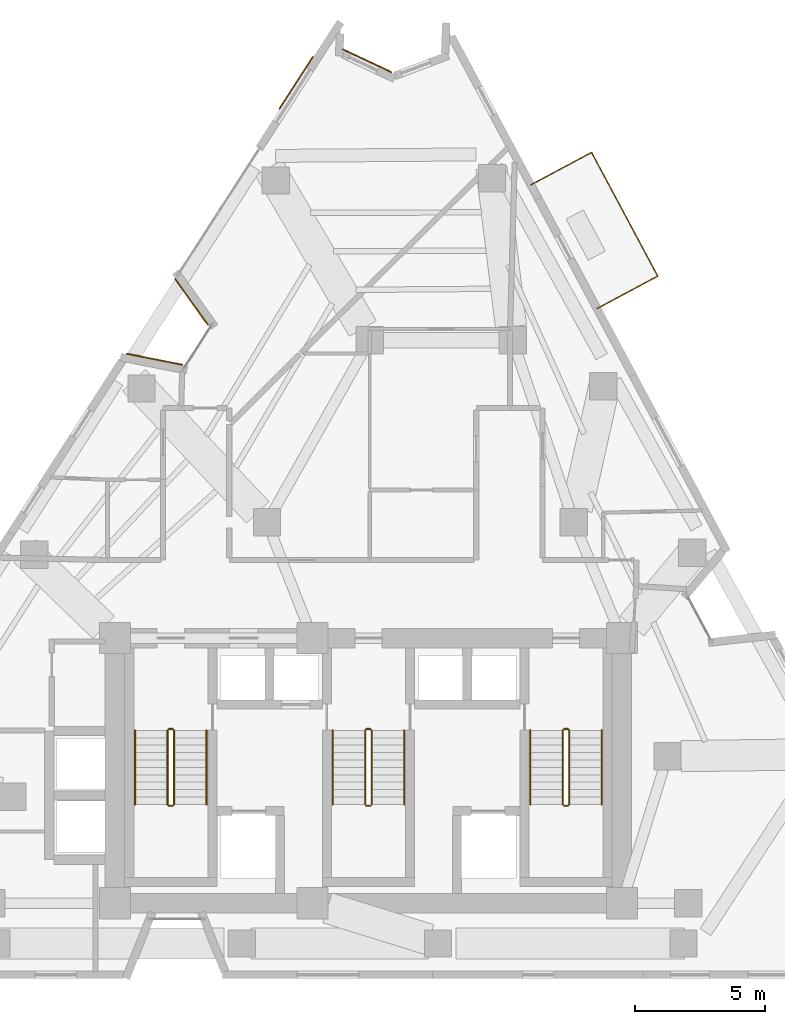
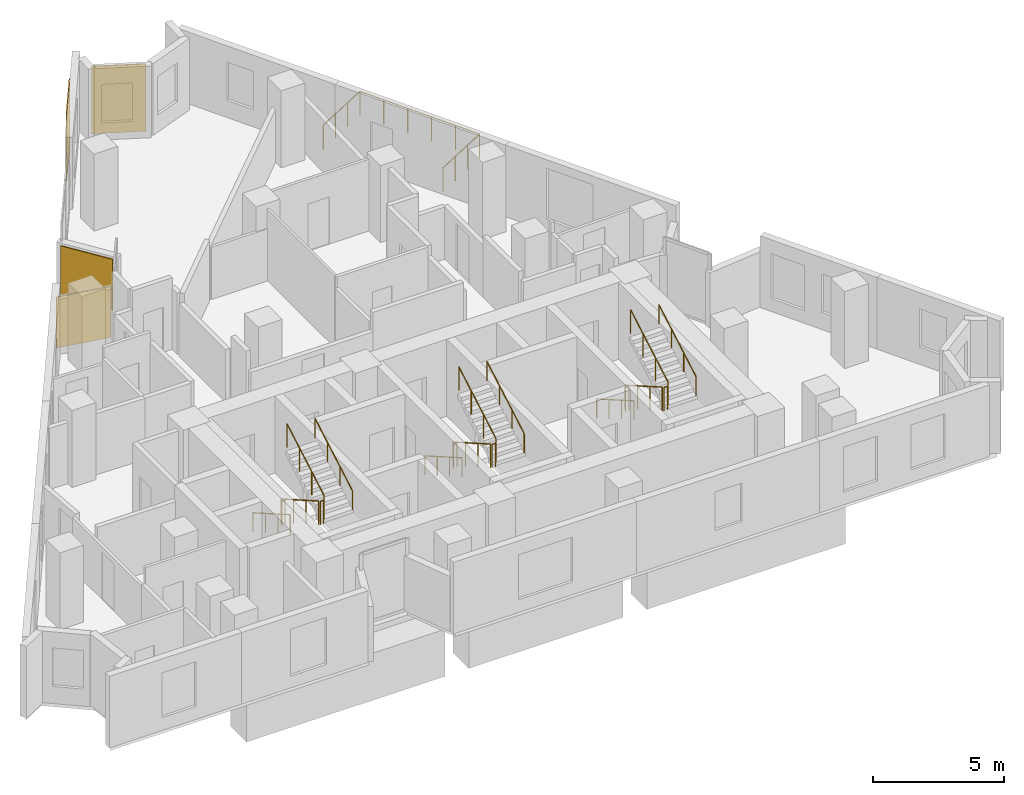
# One storey, part 11 of 11: 19 railings, 4 coverings.
"""IFC4 building model written with IfcOpenShell, lengths in metres."""

from ifc_helpers import new_model, si_unit, direction, frame, origin, origin_2d, place, context, subcontext, project, spatial, rectangle, circle, extrude, material, layer, layer_set, type_object, element, save


model = new_model("IFC4")

# Units and contexts
model_context = context("Model", 3, precision=1e-05, world=origin(), true_north=direction((0.0, 1.0)))
body_context = subcontext(model_context, "Body", "Model", "MODEL_VIEW")
ifc_project = project(units=[si_unit("LENGTHUNIT", "METRE"), si_unit("AREAUNIT", "SQUARE_METRE"), si_unit("VOLUMEUNIT", "CUBIC_METRE"), si_unit("PLANEANGLEUNIT", "RADIAN"), si_unit("MASSUNIT", "GRAM", prefix="KILO")], contexts=[model_context])

# Site, building, storey
site_placement = place(None, origin())
site = spatial("IfcSite", under=ifc_project, at=site_placement, CompositionType="ELEMENT")
building_placement = place(site_placement, origin())
building = spatial("IfcBuilding", under=site, at=building_placement, Name="Almagre Mirador Tower", CompositionType="ELEMENT")
storey_placement = place(building_placement, frame((0.0, 0.0, 175.199951171875)))
storey = spatial("IfcBuildingStorey", under=building, at=storey_placement, Name="L45", CompositionType="ELEMENT", Elevation=175.199951171875)

# Coverings
ifc_material_1 = material(Name="Almagre terracotta architectural cladding", Category="masonry")
ifc_layer = layer(ifc_material_1, 0.044921875)
ifc_layer_set = layer_set([ifc_layer], Name="Almagre terracotta architectural cladding")
covering_type = type_object("IfcCoveringType", Name="COV-CLAD-ALMAGRE", PredefinedType="CLADDING", material=ifc_layer_set)
covering_1_placement = place(storey_placement, frame((29.07275390625, 25.473876953125, 0.10009765625), z_axis=(0.0, 0.0, 1.0), x_axis=(0.981181616545, -0.193087118563, 0.0)))
element("IfcCovering", 1, at=covering_1_placement, inside=storey, type_object=covering_type, Name="L45 almagre terracotta pier cladding", PredefinedType="CLADDING", context=body_context, shape_type="SweptSolid", body=[
    extrude(rectangle(XDim=2.195068359375, YDim=0.044921875, at=origin_2d()), origin(), (0.0, 0.0, 1.0), 2.375),
])
covering_2_placement = place(storey_placement, frame((30.4951171875, 27.678955078125, 0.10009765625), z_axis=(0.0, 0.0, 1.0), x_axis=(-0.580475589131, 0.814277649468, 0.0)))
element("IfcCovering", 2, at=covering_2_placement, inside=storey, type_object=covering_type, Name="L45 almagre terracotta pier cladding", PredefinedType="CLADDING", context=body_context, shape_type="SweptSolid", body=[
    extrude(rectangle(XDim=2.194091796875, YDim=0.044921875, at=origin_2d()), origin(), (0.0, 0.0, 1.0), 2.375),
])
covering_3_placement = place(storey_placement, frame((34.52001953125, 36.10302734375, 0.10009765625), z_axis=(0.0, 0.0, 1.0), x_axis=(0.542030924747, 0.840358540516, 0.0)))
element("IfcCovering", 3, at=covering_3_placement, inside=storey, type_object=covering_type, Name="L45 almagre terracotta pier cladding", PredefinedType="CLADDING", context=body_context, shape_type="SweptSolid", body=[
    extrude(rectangle(XDim=2.39990234375, YDim=0.044921875, at=origin_2d()), origin(), (0.0, 0.0, 1.0), 3.14990234375),
])
covering_4_placement = place(storey_placement, frame((37.25390625, 36.953369140625, 0.10009765625), z_axis=(0.0, 0.0, 1.0), x_axis=(0.903492445122, -0.428604014922, 0.0)))
element("IfcCovering", 4, at=covering_4_placement, inside=storey, type_object=covering_type, Name="L45 almagre terracotta pier cladding", PredefinedType="CLADDING", context=body_context, shape_type="SweptSolid", body=[
    extrude(rectangle(XDim=2.0849609375, YDim=0.044921875, at=origin_2d()), origin(), (0.0, 0.0, 1.0), 3.14990234375),
])

# Railings
ifc_material_2 = material(Name="Black anodized aluminium", Category="aluminium")
railing_type_1 = type_object("IfcRailingType", Name="RLG-BAL-1150", PredefinedType="BALUSTRADE", material=ifc_material_2)
railing_1_placement = place(storey_placement, frame((46.093994140625, 27.4189453125, 0.0)))
element("IfcRailing", 5, at=railing_1_placement, inside=storey, type_object=railing_type_1, Name="L45 east balcony balustrade 1", PredefinedType="BALUSTRADE", context=body_context, shape_type="SweptSolid", body=[
    extrude(circle(Radius=0.02392578125, at=origin_2d()), frame((0.0, 0.0, 1.1259765625), z_axis=(0.88169906434, 0.471812208343, 0.0), x_axis=(-0.471812208343, 0.88169906434, 0.0)), (0.0, 0.0, 1.0), 2.6494140625),
    extrude(circle(Radius=0.02392578125, at=origin_2d()), frame((2.3359375, 1.25, 1.1259765625), z_axis=(-0.471620367983, 0.881801694546, 0.0), x_axis=(-0.881801694546, -0.471620367983, 0.0)), (0.0, 0.0, 1.0), 5.400146484375),
    extrude(circle(Radius=0.02392578125, at=origin_2d()), frame((-0.2109375, 6.011962890625, 1.1259765625), z_axis=(-0.88180156885, -0.471620602999, 0.0), x_axis=(0.471620602999, -0.88180156885, 0.0)), (0.0, 0.0, 1.0), 2.650390625),
    extrude(circle(Radius=0.02099609375, at=origin_2d()), origin(), (0.0, 0.0, 1.0), 1.101806640625),
    extrude(circle(Radius=0.02099609375, at=origin_2d()), frame((0.778564453125, 0.416748046875, 0.0)), (0.0, 0.0, 1.0), 1.101806640625),
    extrude(circle(Radius=0.02099609375, at=origin_2d()), frame((1.557373046875, 0.833251953125, 0.0)), (0.0, 0.0, 1.0), 1.101806640625),
    extrude(circle(Radius=0.02099609375, at=origin_2d()), frame((2.3359375, 1.25, 0.0)), (0.0, 0.0, 1.0), 1.101806640625),
    extrude(circle(Radius=0.02099609375, at=origin_2d()), frame((1.82666015625, 2.202392578125, 0.0)), (0.0, 0.0, 1.0), 1.101806640625),
    extrude(circle(Radius=0.02099609375, at=origin_2d()), frame((1.317138671875, 3.15478515625, 0.0)), (0.0, 0.0, 1.0), 1.101806640625),
    extrude(circle(Radius=0.02099609375, at=origin_2d()), frame((0.807861328125, 4.107177734375, 0.0)), (0.0, 0.0, 1.0), 1.101806640625),
    extrude(circle(Radius=0.02099609375, at=origin_2d()), frame((0.29833984375, 5.0595703125, 0.0)), (0.0, 0.0, 1.0), 1.101806640625),
    extrude(circle(Radius=0.02099609375, at=origin_2d()), frame((-0.2109375, 6.011962890625, 0.0)), (0.0, 0.0, 1.0), 1.101806640625),
    extrude(circle(Radius=0.02099609375, at=origin_2d()), frame((-0.989990234375, 5.59521484375, 0.0)), (0.0, 0.0, 1.0), 1.101806640625),
    extrude(circle(Radius=0.02099609375, at=origin_2d()), frame((-1.76904296875, 5.1787109375, 0.0)), (0.0, 0.0, 1.0), 1.101806640625),
    extrude(circle(Radius=0.02099609375, at=origin_2d()), frame((-2.548095703125, 4.761962890625, 0.0)), (0.0, 0.0, 1.0), 1.101806640625),
])
ifc_material_3 = material(Name="Painted galvanized steel", Category="steel")
railing_type_2 = type_object("IfcRailingType", Name="RLG-GRD-1100", PredefinedType="GUARDRAIL", material=ifc_material_3)
railing_2_placement = place(storey_placement, frame((29.574951171875, 11.199951171875, 0.16357421875)))
element("IfcRailing", 6, at=railing_2_placement, inside=storey, type_object=railing_type_2, Name="L45 ST-1 stair guard 1", PredefinedType="GUARDRAIL", context=body_context, shape_type="SweptSolid", body=[
    extrude(circle(Radius=0.02392578125, at=origin_2d()), frame((0.0, 0.0, 1.09619140625), z_axis=(0.0, -0.867194282975, 0.497969954491), x_axis=(1.0, 0.0, 0.0)), (0.0, 0.0, 1.0), 3.286376953125),
    extrude(circle(Radius=0.02099609375, at=origin_2d()), origin(), (0.0, 0.0, 1.0), 1.072021484375),
    extrude(circle(Radius=0.02099609375, at=origin_2d()), frame((0.0, -0.949951171875, 0.54541015625)), (0.0, 0.0, 1.0), 1.072021484375),
    extrude(circle(Radius=0.02099609375, at=origin_2d()), frame((0.0, -1.89990234375, 1.091064453125)), (0.0, 0.0, 1.0), 1.072021484375),
    extrude(circle(Radius=0.02099609375, at=origin_2d()), frame((0.0, -2.849853515625, 1.636474609375)), (0.0, 0.0, 1.0), 1.072021484375),
])
railing_3_placement = place(storey_placement, frame((29.625, 8.300048828125, 1.800048828125)))
element("IfcRailing", 7, at=railing_3_placement, inside=storey, type_object=railing_type_2, Name="L45 ST-1 stair guard 2", PredefinedType="GUARDRAIL", context=body_context, shape_type="SweptSolid", body=[
    extrude(circle(Radius=0.02392578125, at=origin_2d()), frame((0.0, 0.0, 1.09619140625), z_axis=(1.0, 0.0, 0.0), x_axis=(0.0, 1.0, 0.0)), (0.0, 0.0, 1.0), 0.14990234375),
    extrude(circle(Radius=0.02099609375, at=origin_2d()), origin(), (0.0, 0.0, 1.0), 1.072021484375),
    extrude(circle(Radius=0.02099609375, at=origin_2d()), frame((0.14990234375, 0.0, 0.0)), (0.0, 0.0, 1.0), 1.072021484375),
])
railing_4_placement = place(storey_placement, frame((29.824951171875, 8.35009765625, 1.963623046875)))
element("IfcRailing", 8, at=railing_4_placement, inside=storey, type_object=railing_type_2, Name="L45 ST-1 stair guard 3", PredefinedType="GUARDRAIL", context=body_context, shape_type="SweptSolid", body=[
    extrude(circle(Radius=0.02392578125, at=origin_2d()), frame((0.0, 0.0, 1.09619140625), z_axis=(0.0, 0.867194282975, 0.497969954491), x_axis=(-1.0, 0.0, 0.0)), (0.0, 0.0, 1.0), 3.286376953125),
    extrude(circle(Radius=0.02099609375, at=origin_2d()), origin(), (0.0, 0.0, 1.0), 1.072021484375),
    extrude(circle(Radius=0.02099609375, at=origin_2d()), frame((0.0, 0.949951171875, 0.54541015625)), (0.0, 0.0, 1.0), 1.072021484375),
    extrude(circle(Radius=0.02099609375, at=origin_2d()), frame((0.0, 1.89990234375, 1.091064453125)), (0.0, 0.0, 1.0), 1.072021484375),
    extrude(circle(Radius=0.02099609375, at=origin_2d()), frame((0.0, 2.849853515625, 1.636474609375)), (0.0, 0.0, 1.0), 1.072021484375),
])
railing_5_placement = place(storey_placement, frame((29.625, 11.25, 0.0)))
element("IfcRailing", 9, at=railing_5_placement, inside=storey, type_object=railing_type_2, Name="L45 ST-1 stair guard 4", PredefinedType="GUARDRAIL", context=body_context, shape_type="SweptSolid", body=[
    extrude(circle(Radius=0.02392578125, at=origin_2d()), frame((0.0, 0.0, 1.09619140625), z_axis=(1.0, 0.0, 0.0), x_axis=(0.0, 1.0, 0.0)), (0.0, 0.0, 1.0), 0.14990234375),
    extrude(circle(Radius=0.02099609375, at=origin_2d()), origin(), (0.0, 0.0, 1.0), 1.072021484375),
    extrude(circle(Radius=0.02099609375, at=origin_2d()), frame((0.14990234375, 0.0, 0.0)), (0.0, 0.0, 1.0), 1.072021484375),
])
railing_6_placement = place(storey_placement, frame((37.175048828125, 11.199951171875, 0.16357421875)))
element("IfcRailing", 10, at=railing_6_placement, inside=storey, type_object=railing_type_2, Name="L45 ST-2 stair guard 1", PredefinedType="GUARDRAIL", context=body_context, shape_type="SweptSolid", body=[
    extrude(circle(Radius=0.02392578125, at=origin_2d()), frame((0.0, 0.0, 1.09619140625), z_axis=(0.0, -0.867194282975, 0.497969954491), x_axis=(1.0, 0.0, 0.0)), (0.0, 0.0, 1.0), 3.286376953125),
    extrude(circle(Radius=0.02099609375, at=origin_2d()), origin(), (0.0, 0.0, 1.0), 1.072021484375),
    extrude(circle(Radius=0.02099609375, at=origin_2d()), frame((0.0, -0.949951171875, 0.54541015625)), (0.0, 0.0, 1.0), 1.072021484375),
    extrude(circle(Radius=0.02099609375, at=origin_2d()), frame((0.0, -1.89990234375, 1.091064453125)), (0.0, 0.0, 1.0), 1.072021484375),
    extrude(circle(Radius=0.02099609375, at=origin_2d()), frame((0.0, -2.849853515625, 1.636474609375)), (0.0, 0.0, 1.0), 1.072021484375),
])
railing_7_placement = place(storey_placement, frame((37.22509765625, 8.300048828125, 1.800048828125)))
element("IfcRailing", 11, at=railing_7_placement, inside=storey, type_object=railing_type_2, Name="L45 ST-2 stair guard 2", PredefinedType="GUARDRAIL", context=body_context, shape_type="SweptSolid", body=[
    extrude(circle(Radius=0.02392578125, at=origin_2d()), frame((0.0, 0.0, 1.09619140625), z_axis=(1.0, 0.0, 0.0), x_axis=(0.0, 1.0, 0.0)), (0.0, 0.0, 1.0), 0.14990234375),
    extrude(circle(Radius=0.02099609375, at=origin_2d()), origin(), (0.0, 0.0, 1.0), 1.072021484375),
    extrude(circle(Radius=0.02099609375, at=origin_2d()), frame((0.14990234375, 0.0, 0.0)), (0.0, 0.0, 1.0), 1.072021484375),
])
railing_8_placement = place(storey_placement, frame((37.425048828125, 8.35009765625, 1.963623046875)))
element("IfcRailing", 12, at=railing_8_placement, inside=storey, type_object=railing_type_2, Name="L45 ST-2 stair guard 3", PredefinedType="GUARDRAIL", context=body_context, shape_type="SweptSolid", body=[
    extrude(circle(Radius=0.02392578125, at=origin_2d()), frame((0.0, 0.0, 1.09619140625), z_axis=(0.0, 0.867194282975, 0.497969954491), x_axis=(-1.0, 0.0, 0.0)), (0.0, 0.0, 1.0), 3.286376953125),
    extrude(circle(Radius=0.02099609375, at=origin_2d()), origin(), (0.0, 0.0, 1.0), 1.072021484375),
    extrude(circle(Radius=0.02099609375, at=origin_2d()), frame((0.0, 0.949951171875, 0.54541015625)), (0.0, 0.0, 1.0), 1.072021484375),
    extrude(circle(Radius=0.02099609375, at=origin_2d()), frame((0.0, 1.89990234375, 1.091064453125)), (0.0, 0.0, 1.0), 1.072021484375),
    extrude(circle(Radius=0.02099609375, at=origin_2d()), frame((0.0, 2.849853515625, 1.636474609375)), (0.0, 0.0, 1.0), 1.072021484375),
])
railing_9_placement = place(storey_placement, frame((37.22509765625, 11.25, 0.0)))
element("IfcRailing", 13, at=railing_9_placement, inside=storey, type_object=railing_type_2, Name="L45 ST-2 stair guard 4", PredefinedType="GUARDRAIL", context=body_context, shape_type="SweptSolid", body=[
    extrude(circle(Radius=0.02392578125, at=origin_2d()), frame((0.0, 0.0, 1.09619140625), z_axis=(1.0, 0.0, 0.0), x_axis=(0.0, 1.0, 0.0)), (0.0, 0.0, 1.0), 0.14990234375),
    extrude(circle(Radius=0.02099609375, at=origin_2d()), origin(), (0.0, 0.0, 1.0), 1.072021484375),
    extrude(circle(Radius=0.02099609375, at=origin_2d()), frame((0.14990234375, 0.0, 0.0)), (0.0, 0.0, 1.0), 1.072021484375),
])
railing_10_placement = place(storey_placement, frame((44.77490234375, 11.199951171875, 0.16357421875)))
element("IfcRailing", 14, at=railing_10_placement, inside=storey, type_object=railing_type_2, Name="L45 ST-3 stair guard 1", PredefinedType="GUARDRAIL", context=body_context, shape_type="SweptSolid", body=[
    extrude(circle(Radius=0.02392578125, at=origin_2d()), frame((0.0, 0.0, 1.09619140625), z_axis=(0.0, -0.867194282975, 0.497969954491), x_axis=(1.0, 0.0, 0.0)), (0.0, 0.0, 1.0), 3.286376953125),
    extrude(circle(Radius=0.02099609375, at=origin_2d()), origin(), (0.0, 0.0, 1.0), 1.072021484375),
    extrude(circle(Radius=0.02099609375, at=origin_2d()), frame((0.0, -0.949951171875, 0.54541015625)), (0.0, 0.0, 1.0), 1.072021484375),
    extrude(circle(Radius=0.02099609375, at=origin_2d()), frame((0.0, -1.89990234375, 1.091064453125)), (0.0, 0.0, 1.0), 1.072021484375),
    extrude(circle(Radius=0.02099609375, at=origin_2d()), frame((0.0, -2.849853515625, 1.636474609375)), (0.0, 0.0, 1.0), 1.072021484375),
])
railing_11_placement = place(storey_placement, frame((44.824951171875, 8.300048828125, 1.800048828125)))
element("IfcRailing", 15, at=railing_11_placement, inside=storey, type_object=railing_type_2, Name="L45 ST-3 stair guard 2", PredefinedType="GUARDRAIL", context=body_context, shape_type="SweptSolid", body=[
    extrude(circle(Radius=0.02392578125, at=origin_2d()), frame((0.0, 0.0, 1.09619140625), z_axis=(1.0, 0.0, 0.0), x_axis=(0.0, 1.0, 0.0)), (0.0, 0.0, 1.0), 0.150146484375),
    extrude(circle(Radius=0.02099609375, at=origin_2d()), origin(), (0.0, 0.0, 1.0), 1.072021484375),
    extrude(circle(Radius=0.02099609375, at=origin_2d()), frame((0.150146484375, 0.0, 0.0)), (0.0, 0.0, 1.0), 1.072021484375),
])
railing_12_placement = place(storey_placement, frame((45.02490234375, 8.35009765625, 1.963623046875)))
element("IfcRailing", 16, at=railing_12_placement, inside=storey, type_object=railing_type_2, Name="L45 ST-3 stair guard 3", PredefinedType="GUARDRAIL", context=body_context, shape_type="SweptSolid", body=[
    extrude(circle(Radius=0.02392578125, at=origin_2d()), frame((0.0, 0.0, 1.09619140625), z_axis=(0.0, 0.867194282975, 0.497969954491), x_axis=(-1.0, 0.0, 0.0)), (0.0, 0.0, 1.0), 3.286376953125),
    extrude(circle(Radius=0.02099609375, at=origin_2d()), origin(), (0.0, 0.0, 1.0), 1.072021484375),
    extrude(circle(Radius=0.02099609375, at=origin_2d()), frame((0.0, 0.949951171875, 0.54541015625)), (0.0, 0.0, 1.0), 1.072021484375),
    extrude(circle(Radius=0.02099609375, at=origin_2d()), frame((0.0, 1.89990234375, 1.091064453125)), (0.0, 0.0, 1.0), 1.072021484375),
    extrude(circle(Radius=0.02099609375, at=origin_2d()), frame((0.0, 2.849853515625, 1.636474609375)), (0.0, 0.0, 1.0), 1.072021484375),
])
railing_13_placement = place(storey_placement, frame((44.824951171875, 11.25, 0.0)))
element("IfcRailing", 17, at=railing_13_placement, inside=storey, type_object=railing_type_2, Name="L45 ST-3 stair guard 4", PredefinedType="GUARDRAIL", context=body_context, shape_type="SweptSolid", body=[
    extrude(circle(Radius=0.02392578125, at=origin_2d()), frame((0.0, 0.0, 1.09619140625), z_axis=(1.0, 0.0, 0.0), x_axis=(0.0, 1.0, 0.0)), (0.0, 0.0, 1.0), 0.150146484375),
    extrude(circle(Radius=0.02099609375, at=origin_2d()), origin(), (0.0, 0.0, 1.0), 1.072021484375),
    extrude(circle(Radius=0.02099609375, at=origin_2d()), frame((0.150146484375, 0.0, 0.0)), (0.0, 0.0, 1.0), 1.072021484375),
])
ifc_material_4 = material(Name="Brushed stainless steel", Category="steel")
railing_type_3 = type_object("IfcRailingType", Name="RLG-HND-915", PredefinedType="HANDRAIL", material=ifc_material_4)
railing_14_placement = place(storey_placement, frame((28.324951171875, 11.199951171875, 0.16357421875)))
element("IfcRailing", 18, at=railing_14_placement, inside=storey, type_object=railing_type_3, Name="L45 ST-1 stair handrail 1", PredefinedType="HANDRAIL", context=body_context, shape_type="SweptSolid", body=[
    extrude(circle(Radius=0.02392578125, at=origin_2d()), frame((0.0, 0.0, 0.89111328125), z_axis=(0.0, -0.867194282975, 0.497969954491), x_axis=(1.0, 0.0, 0.0)), (0.0, 0.0, 1.0), 3.286376953125),
    extrude(circle(Radius=0.02099609375, at=origin_2d()), origin(), (0.0, 0.0, 1.0), 0.866943359375),
    extrude(circle(Radius=0.02099609375, at=origin_2d()), frame((0.0, -0.949951171875, 0.54541015625)), (0.0, 0.0, 1.0), 0.866943359375),
    extrude(circle(Radius=0.02099609375, at=origin_2d()), frame((0.0, -1.89990234375, 1.091064453125)), (0.0, 0.0, 1.0), 0.866943359375),
    extrude(circle(Radius=0.02099609375, at=origin_2d()), frame((0.0, -2.849853515625, 1.636474609375)), (0.0, 0.0, 1.0), 0.866943359375),
])
railing_15_placement = place(storey_placement, frame((31.074951171875, 8.35009765625, 1.963623046875)))
element("IfcRailing", 19, at=railing_15_placement, inside=storey, type_object=railing_type_3, Name="L45 ST-1 stair handrail 2", PredefinedType="HANDRAIL", context=body_context, shape_type="SweptSolid", body=[
    extrude(circle(Radius=0.02392578125, at=origin_2d()), frame((0.0, 0.0, 0.89111328125), z_axis=(0.0, 0.867194282975, 0.497969954491), x_axis=(-1.0, 0.0, 0.0)), (0.0, 0.0, 1.0), 3.286376953125),
    extrude(circle(Radius=0.02099609375, at=origin_2d()), origin(), (0.0, 0.0, 1.0), 0.866943359375),
    extrude(circle(Radius=0.02099609375, at=origin_2d()), frame((0.0, 0.949951171875, 0.54541015625)), (0.0, 0.0, 1.0), 0.866943359375),
    extrude(circle(Radius=0.02099609375, at=origin_2d()), frame((0.0, 1.89990234375, 1.091064453125)), (0.0, 0.0, 1.0), 0.866943359375),
    extrude(circle(Radius=0.02099609375, at=origin_2d()), frame((0.0, 2.849853515625, 1.636474609375)), (0.0, 0.0, 1.0), 0.866943359375),
])
railing_16_placement = place(storey_placement, frame((35.925048828125, 11.199951171875, 0.16357421875)))
element("IfcRailing", 20, at=railing_16_placement, inside=storey, type_object=railing_type_3, Name="L45 ST-2 stair handrail 1", PredefinedType="HANDRAIL", context=body_context, shape_type="SweptSolid", body=[
    extrude(circle(Radius=0.02392578125, at=origin_2d()), frame((0.0, 0.0, 0.89111328125), z_axis=(0.0, -0.867194282975, 0.497969954491), x_axis=(1.0, 0.0, 0.0)), (0.0, 0.0, 1.0), 3.286376953125),
    extrude(circle(Radius=0.02099609375, at=origin_2d()), origin(), (0.0, 0.0, 1.0), 0.866943359375),
    extrude(circle(Radius=0.02099609375, at=origin_2d()), frame((0.0, -0.949951171875, 0.54541015625)), (0.0, 0.0, 1.0), 0.866943359375),
    extrude(circle(Radius=0.02099609375, at=origin_2d()), frame((0.0, -1.89990234375, 1.091064453125)), (0.0, 0.0, 1.0), 0.866943359375),
    extrude(circle(Radius=0.02099609375, at=origin_2d()), frame((0.0, -2.849853515625, 1.636474609375)), (0.0, 0.0, 1.0), 0.866943359375),
])
railing_17_placement = place(storey_placement, frame((38.675048828125, 8.35009765625, 1.963623046875)))
element("IfcRailing", 21, at=railing_17_placement, inside=storey, type_object=railing_type_3, Name="L45 ST-2 stair handrail 2", PredefinedType="HANDRAIL", context=body_context, shape_type="SweptSolid", body=[
    extrude(circle(Radius=0.02392578125, at=origin_2d()), frame((0.0, 0.0, 0.89111328125), z_axis=(0.0, 0.867194282975, 0.497969954491), x_axis=(-1.0, 0.0, 0.0)), (0.0, 0.0, 1.0), 3.286376953125),
    extrude(circle(Radius=0.02099609375, at=origin_2d()), origin(), (0.0, 0.0, 1.0), 0.866943359375),
    extrude(circle(Radius=0.02099609375, at=origin_2d()), frame((0.0, 0.949951171875, 0.54541015625)), (0.0, 0.0, 1.0), 0.866943359375),
    extrude(circle(Radius=0.02099609375, at=origin_2d()), frame((0.0, 1.89990234375, 1.091064453125)), (0.0, 0.0, 1.0), 0.866943359375),
    extrude(circle(Radius=0.02099609375, at=origin_2d()), frame((0.0, 2.849853515625, 1.636474609375)), (0.0, 0.0, 1.0), 0.866943359375),
])
railing_18_placement = place(storey_placement, frame((43.52490234375, 11.199951171875, 0.16357421875)))
element("IfcRailing", 22, at=railing_18_placement, inside=storey, type_object=railing_type_3, Name="L45 ST-3 stair handrail 1", PredefinedType="HANDRAIL", context=body_context, shape_type="SweptSolid", body=[
    extrude(circle(Radius=0.02392578125, at=origin_2d()), frame((0.0, 0.0, 0.89111328125), z_axis=(0.0, -0.867194282975, 0.497969954491), x_axis=(1.0, 0.0, 0.0)), (0.0, 0.0, 1.0), 3.286376953125),
    extrude(circle(Radius=0.02099609375, at=origin_2d()), origin(), (0.0, 0.0, 1.0), 0.866943359375),
    extrude(circle(Radius=0.02099609375, at=origin_2d()), frame((0.0, -0.949951171875, 0.54541015625)), (0.0, 0.0, 1.0), 0.866943359375),
    extrude(circle(Radius=0.02099609375, at=origin_2d()), frame((0.0, -1.89990234375, 1.091064453125)), (0.0, 0.0, 1.0), 0.866943359375),
    extrude(circle(Radius=0.02099609375, at=origin_2d()), frame((0.0, -2.849853515625, 1.636474609375)), (0.0, 0.0, 1.0), 0.866943359375),
])
railing_19_placement = place(storey_placement, frame((46.27490234375, 8.35009765625, 1.963623046875)))
element("IfcRailing", 23, at=railing_19_placement, inside=storey, type_object=railing_type_3, Name="L45 ST-3 stair handrail 2", PredefinedType="HANDRAIL", context=body_context, shape_type="SweptSolid", body=[
    extrude(circle(Radius=0.02392578125, at=origin_2d()), frame((0.0, 0.0, 0.89111328125), z_axis=(0.0, 0.867194282975, 0.497969954491), x_axis=(-1.0, 0.0, 0.0)), (0.0, 0.0, 1.0), 3.286376953125),
    extrude(circle(Radius=0.02099609375, at=origin_2d()), origin(), (0.0, 0.0, 1.0), 0.866943359375),
    extrude(circle(Radius=0.02099609375, at=origin_2d()), frame((0.0, 0.949951171875, 0.54541015625)), (0.0, 0.0, 1.0), 0.866943359375),
    extrude(circle(Radius=0.02099609375, at=origin_2d()), frame((0.0, 1.89990234375, 1.091064453125)), (0.0, 0.0, 1.0), 0.866943359375),
    extrude(circle(Radius=0.02099609375, at=origin_2d()), frame((0.0, 2.849853515625, 1.636474609375)), (0.0, 0.0, 1.0), 0.866943359375),
])

save(model, "model.ifc")
